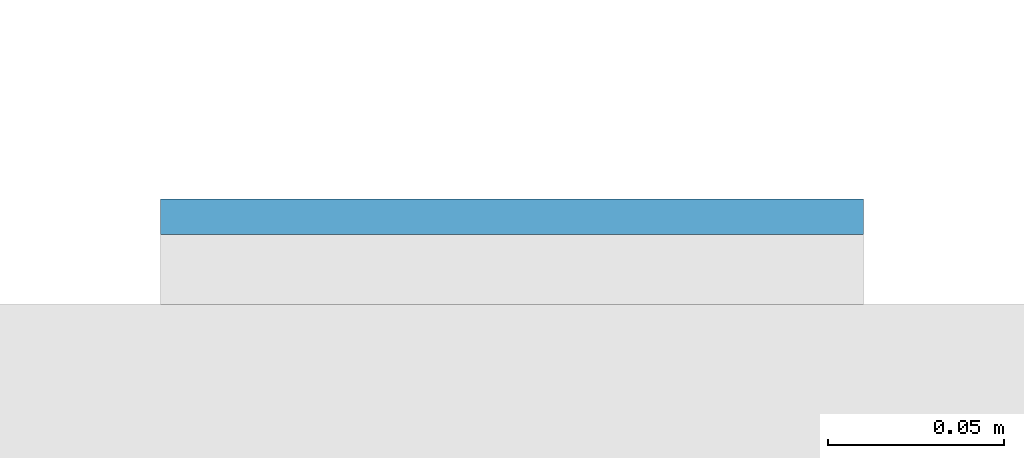
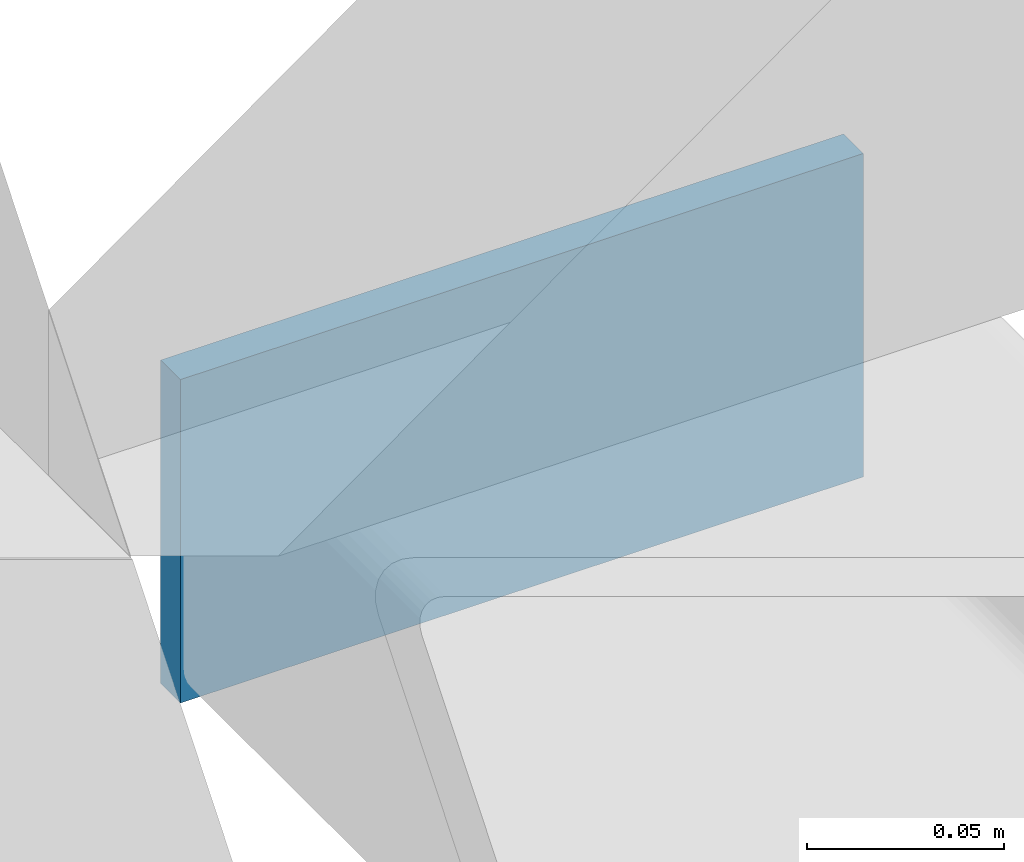
# One storey, part 11 of 20: 1 plate.
"""IFC4 building model written with IfcOpenShell, lengths in metres."""

from ifc_helpers import new_model, si_unit, direction, frame, origin, origin_2d, place, context, subcontext, project, spatial, rectangle, extrude, material, layer, layer_set, type_object, element, save


model = new_model("IFC4")

# Units and contexts
model_context = context("Model", 3, precision=1e-05, world=origin(), true_north=direction((0.0, 1.0)))
body_context = subcontext(model_context, "Body", "Model", "MODEL_VIEW")
ifc_project = project(units=[si_unit("LENGTHUNIT", "METRE"), si_unit("AREAUNIT", "SQUARE_METRE"), si_unit("VOLUMEUNIT", "CUBIC_METRE"), si_unit("PLANEANGLEUNIT", "RADIAN"), si_unit("MASSUNIT", "GRAM", prefix="KILO")], contexts=[model_context])

# Site, building, storey
site_placement = place(None, origin())
site = spatial("IfcSite", under=ifc_project, at=site_placement, CompositionType="ELEMENT")
building_placement = place(site_placement, origin())
building = spatial("IfcBuilding", under=site, at=building_placement, Name="Cleftline Residences", CompositionType="ELEMENT")
storey_placement = place(building_placement, frame((0.0, 0.0, 51.199951171875)))
storey = spatial("IfcBuildingStorey", under=building, at=storey_placement, Name="L12", CompositionType="ELEMENT", Elevation=51.199951171875)

# Plate
ifc_material = material(Name="Steel S355, hot-dip galvanised", Category="steel")
ifc_layer = layer(ifc_material, 0.010009765625)
ifc_layer_set = layer_set([ifc_layer], Name="BAGUETTE CARRIER END PLATE 200X100X10")
plate_type = type_object("IfcPlateType", Name="BAGUETTE CARRIER END PLATE 200X100X10", PredefinedType="USERDEFINED", material=ifc_layer_set)
plate_placement = place(storey_placement, frame((66.85009765625, 44.304931640625, -0.10009765625), z_axis=(0.0, 0.0, 1.0), x_axis=(1.0, 0.0, 0.0)))
element("IfcPlate", 1, at=plate_placement, inside=storey, type_object=plate_type, Name="Baguette carrier end plate", ObjectType="BAGUETTE CARRIER END PLATE", PredefinedType="USERDEFINED", context=body_context, shape_type="SweptSolid", body=[
    extrude(rectangle(XDim=0.199951171875, YDim=0.010009765625, at=origin_2d()), origin(), (0.0, 0.0, 1.0), 0.10009765625),
])

save(model, "model.ifc")
